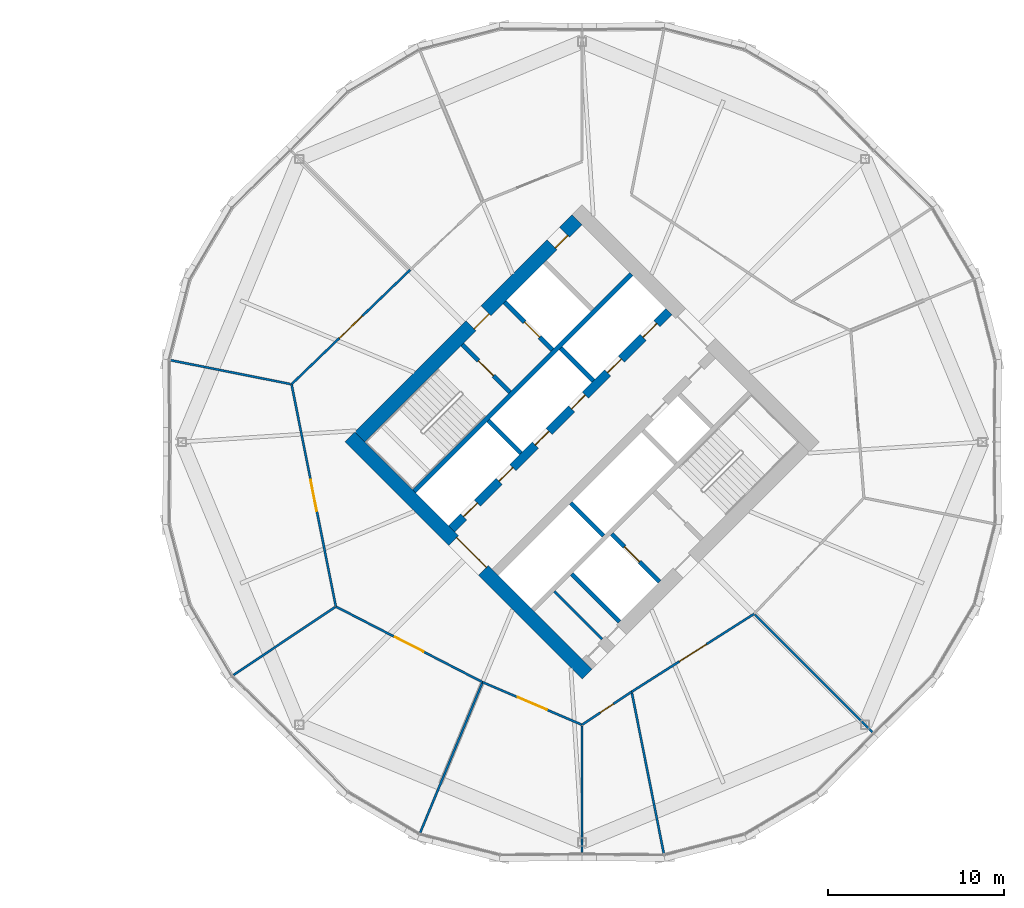
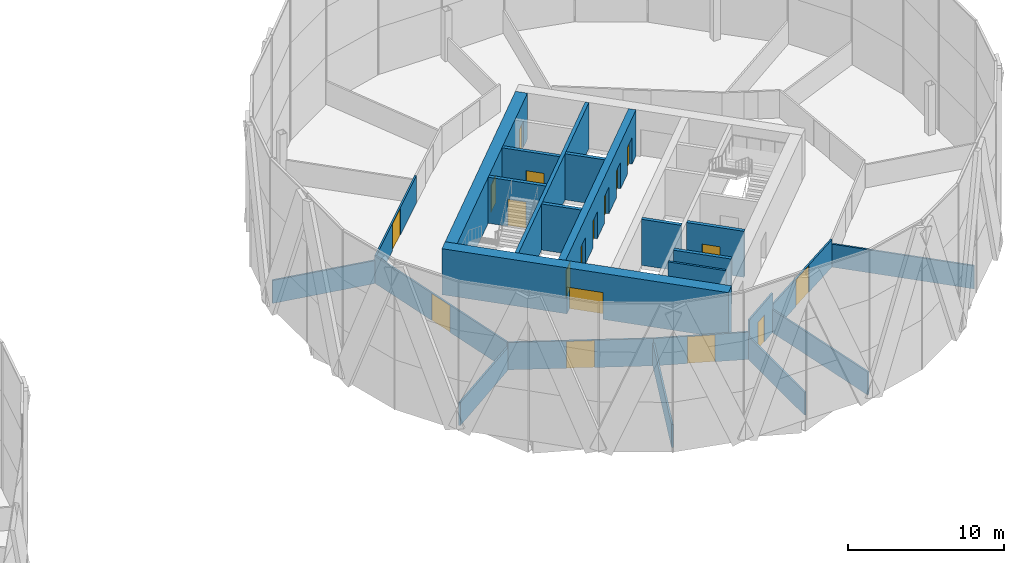
# One storey, part 22 of 26: 24 walls, 18 doors, 18 openings.
"""IFC4 building model written with IfcOpenShell, lengths in metres."""

from ifc_helpers import new_model, si_unit, direction, frame, frame_2d, origin, place, context, subcontext, project, spatial, rectangle, extrude, material, layer, layer_set, type_object, element, fill, save


model = new_model("IFC4")

# Units and contexts
model_context = context("Model", 3, precision=1e-05, world=origin(), true_north=direction((0.0, 1.0)))
body_context = subcontext(model_context, "Body", "Model", "MODEL_VIEW")
ifc_project = project(units=[si_unit("LENGTHUNIT", "METRE"), si_unit("AREAUNIT", "SQUARE_METRE"), si_unit("VOLUMEUNIT", "CUBIC_METRE"), si_unit("PLANEANGLEUNIT", "RADIAN"), si_unit("MASSUNIT", "GRAM", prefix="KILO")], contexts=[model_context])

# Site, building, storey
site_placement = place(None, origin())
site = spatial("IfcSite", under=ifc_project, at=site_placement, CompositionType="ELEMENT")
building_placement = place(site_placement, origin())
building = spatial("IfcBuilding", under=site, at=building_placement, Name="Ogive Gate Towers", CompositionType="ELEMENT")
storey_placement = place(building_placement, frame((0.0, 0.0, 87.89990234375)))
storey = spatial("IfcBuildingStorey", under=building, at=storey_placement, Name="L20", CompositionType="ELEMENT", Elevation=87.89990234375)

# Wall, openings, doors
ifc_material_1 = material(Name="Concrete C60/75", Category="concrete")
ifc_layer_1 = layer(ifc_material_1, 0.800048828125)
ifc_layer_set_1 = layer_set([ifc_layer_1], Name="Core wall 800 mm")
wall_type_1 = type_object("IfcWallType", Name="Core wall 800 mm", PredefinedType="SHEAR", material=ifc_layer_set_1)
wall_1_placement = place(storey_placement, frame((23.41357421875, 0.28271484375, 0.0), z_axis=(0.0, 0.0, 1.0), x_axis=(0.707106781187, 0.707106781187, 0.0)))
wall_1 = element("IfcWall", 1, at=wall_1_placement, inside=storey, type_object=wall_type_1, Name="T2 L20 Core wall 800 mm", PredefinedType="SHEAR", context=body_context, shape_type="SweptSolid", body=[
    extrude(rectangle(XDim=17.400146484375, YDim=0.800048828125, at=frame_2d((8.7001953125, 0.0))), origin(), (0.0, 0.0, 1.0), 3.60009765625),
])
opening_1_placement = place(wall_1_placement, frame((8.89990234375, 0.0, 0.0)))
opening_1 = element("IfcOpeningElement", 2, at=opening_1_placement, cuts=wall_1, Name="Opening KD-T2-L20-15", PredefinedType="OPENING", context=body_context, shape_type="SweptSolid", body=[
    extrude(rectangle(XDim=1.199951171875, YDim=2.10009765625, at=frame_2d((0.60009765625, 1.050048828125))), frame((0.0, 0.41015625, 0.0), z_axis=(0.0, -1.0, 0.0), x_axis=(1.0, 0.0, 0.0)), (0.0, 0.0, 1.0), 0.820068359375),
])
opening_2_placement = place(wall_1_placement, frame((15.39990234375, 0.0, 0.0)))
opening_2 = element("IfcOpeningElement", 3, at=opening_2_placement, cuts=wall_1, Name="Opening KD-T2-L20-17", PredefinedType="OPENING", context=body_context, shape_type="SweptSolid", body=[
    extrude(rectangle(XDim=1.0, YDim=2.10009765625, at=frame_2d((0.5, 1.050048828125))), frame((0.0, 0.41015625, 0.0), z_axis=(0.0, -1.0, 0.0), x_axis=(1.0, 0.0, 0.0)), (0.0, 0.0, 1.0), 0.820068359375),
])
ifc_material_2 = material(Name="Timber door", Category="wood")
door_type_1 = type_object("IfcDoorType", Name="Accessible WC door 1000 x 2100", OperationType="NOTDEFINED", PredefinedType="DOOR", material=ifc_material_2)
door_1_placement = place(opening_2_placement, origin())
door_1 = element("IfcDoor", 4, at=door_1_placement, inside=storey, type_object=door_type_1, Name="T2 L20 Core door", OperationType="SINGLE_SWING_RIGHT", OverallHeight=2.10009765625, OverallWidth=1.0, PredefinedType="DOOR", context=body_context, shape_type="SweptSolid", body=[
    extrude(rectangle(XDim=1.0, YDim=2.10009765625, at=frame_2d((0.5, 1.050048828125))), frame((0.0, -0.22509765625, 0.0), z_axis=(0.0, -1.0, 0.0), x_axis=(1.0, 0.0, 0.0)), (0.0, 0.0, 1.0), 0.050048828125),
])
fill(opening_2, door_1)
ifc_material_3 = material(Name="Steel fire door", Category="steel")
door_type_2 = type_object("IfcDoorType", Name="Core door FD60S 1200 x 2100", OperationType="NOTDEFINED", PredefinedType="DOOR", material=ifc_material_3)
door_2_placement = place(opening_1_placement, origin())
door_2 = element("IfcDoor", 5, at=door_2_placement, inside=storey, type_object=door_type_2, Name="T2 L20 Fire-fighting lobby door", OperationType="SINGLE_SWING_RIGHT", OverallHeight=2.10009765625, OverallWidth=1.199951171875, PredefinedType="DOOR", context=body_context, shape_type="SweptSolid", body=[
    extrude(rectangle(XDim=1.199951171875, YDim=2.10009765625, at=frame_2d((0.60009765625, 1.050048828125))), frame((0.0, -0.22509765625, 0.0), z_axis=(0.0, -1.0, 0.0), x_axis=(1.0, 0.0, 0.0)), (0.0, 0.0, 1.0), 0.050048828125),
])
fill(opening_1, door_2)

# Wall, opening, door
wall_2_placement = place(storey_placement, frame((36.28271484375, -13.152099609375, 0.0), z_axis=(0.0, 0.0, 1.0), x_axis=(-0.707106781187, 0.707106781187, 0.0)))
wall_2 = element("IfcWall", 6, at=wall_2_placement, inside=storey, type_object=wall_type_1, Name="T2 L20 Core wall 800 mm", PredefinedType="SHEAR", context=body_context, shape_type="SweptSolid", body=[
    extrude(rectangle(XDim=18.999755859375, YDim=0.800048828125, at=frame_2d((9.5, 0.0))), origin(), (0.0, 0.0, 1.0), 3.60009765625),
])
opening_3_placement = place(wall_2_placement, frame((8.300048828125, 0.0, 0.0)))
opening_3 = element("IfcOpeningElement", 7, at=opening_3_placement, cuts=wall_2, Name="Opening KD-T2-L20-01", PredefinedType="OPENING", context=body_context, shape_type="SweptSolid", body=[
    extrude(rectangle(XDim=2.39990234375, YDim=2.10009765625, at=frame_2d((1.199951171875, 1.050048828125))), frame((0.0, 0.41015625, 0.0), z_axis=(0.0, -1.0, 0.0), x_axis=(1.0, 0.0, 0.0)), (0.0, 0.0, 1.0), 0.820068359375),
])
door_type_3 = type_object("IfcDoorType", Name="Core double door FD60S 2400 x 2100", OperationType="DOUBLE_DOOR_SINGLE_SWING", PredefinedType="DOOR", material=ifc_material_3)
door_3_placement = place(opening_3_placement, origin())
door_3 = element("IfcDoor", 8, at=door_3_placement, inside=storey, type_object=door_type_3, Name="T2 L20 Core door double", OperationType="DOUBLE_DOOR_SINGLE_SWING", OverallHeight=2.10009765625, OverallWidth=2.39990234375, PredefinedType="DOOR", context=body_context, shape_type="SweptSolid", body=[
    extrude(rectangle(XDim=2.39990234375, YDim=2.10009765625, at=frame_2d((1.199951171875, 1.050048828125))), frame((0.0, -0.22509765625, 0.0), z_axis=(0.0, -1.0, 0.0), x_axis=(1.0, 0.0, 0.0)), (0.0, 0.0, 1.0), 0.050048828125),
])
fill(opening_3, door_3)

# Walls
ifc_material_4 = material(Name="Gypsum board partition")
ifc_layer_2 = layer(ifc_material_4, 0.125)
ifc_layer_set_2 = layer_set([ifc_layer_2], Name="Partition 125")
wall_type_2 = type_object("IfcWallType", Name="Partition 125", PredefinedType="PARTITIONING", material=ifc_layer_set_2)
for number, where, z_axis, x_axis, name in (
    (9, (12.685791015625, 4.6298828125, 0.0), (0.0, 0.0, 1.0), (0.980846885712, -0.194780355243, 0.0), "Partition T2-L20-007"),
    (10, (16.240478515625, -13.2119140625, 0.0), (0.0, 0.0, 1.0), (0.831301056765, 0.555822411406, 0.0), "Partition T2-L20-008"),
):
    element("IfcWall", number, at=place(storey_placement, frame(where, z_axis=z_axis, x_axis=x_axis)), inside=storey, type_object=wall_type_2, Name=name, PredefinedType="PARTITIONING", context=body_context, shape_type="SweptSolid", body=[
        extrude(rectangle(XDim=6.925048828125, YDim=0.125, at=frame_2d((3.46240234375, 0.0))), origin(), (0.0, 0.0, 1.0), 1.800048828125),
    ])
wall_3_placement = place(storey_placement, frame((26.8271484375, -22.1455078125, 0.0), z_axis=(0.0, 0.0, 1.0), x_axis=(0.382685496895, 0.923878677352, 0.0)))
element("IfcWall", 11, at=wall_3_placement, inside=storey, type_object=wall_type_2, Name="Partition T2-L20-009", PredefinedType="PARTITIONING", context=body_context, shape_type="SweptSolid", body=[
    extrude(rectangle(XDim=9.17529296875, YDim=0.125, at=frame_2d((4.587646484375, 0.0))), origin(), (0.0, 0.0, 1.0), 1.800048828125),
])
wall_4_placement = place(storey_placement, frame((36.0, -23.26904296875, 0.0), z_axis=(0.0, 0.0, 1.0), x_axis=(0.0, 1.0, 0.0)))
element("IfcWall", 12, at=wall_4_placement, inside=storey, type_object=wall_type_2, Name="Partition T2-L20-010", PredefinedType="PARTITIONING", context=body_context, shape_type="SweptSolid", body=[
    extrude(rectangle(XDim=7.176513671875, YDim=0.125, at=frame_2d((3.58837890625, 0.0))), origin(), (0.0, 0.0, 1.0), 1.800048828125),
])
wall_5_placement = place(storey_placement, frame((40.6298828125, -23.314208984375, 0.0), z_axis=(0.0, 0.0, 1.0), x_axis=(-0.194784655939, 0.980846031654, 0.0)))
element("IfcWall", 13, at=wall_5_placement, inside=storey, type_object=wall_type_2, Name="Partition T2-L20-011", PredefinedType="PARTITIONING", context=body_context, shape_type="SweptSolid", body=[
    extrude(rectangle(XDim=9.275146484375, YDim=0.125, at=frame_2d((4.6376953125, 0.0))), origin(), (0.0, 0.0, 1.0), 1.800048828125),
])
wall_6_placement = place(storey_placement, frame((52.45361328125, -16.45361328125, 0.0), z_axis=(0.0, 0.0, 1.0), x_axis=(-0.707106781187, 0.707106781187, 0.0)))
element("IfcWall", 14, at=wall_6_placement, inside=storey, type_object=wall_type_2, Name="Partition T2-L20-012", PredefinedType="PARTITIONING", context=body_context, shape_type="SweptSolid", body=[
    extrude(rectangle(XDim=9.425048828125, YDim=0.125, at=frame_2d((4.71240234375, 0.0))), origin(), (0.0, 0.0, 1.0), 1.800048828125),
])

# Wall, opening, door
wall_7_placement = place(storey_placement, frame((26.255126953125, 9.744873046875, 0.0), z_axis=(0.0, 0.0, 1.0), x_axis=(-0.719826082496, -0.694154457566, 0.0)))
wall_7 = element("IfcWall", 15, at=wall_7_placement, inside=storey, type_object=wall_type_2, Name="Partition T2-L20-016", PredefinedType="PARTITIONING", context=body_context, shape_type="SweptSolid", body=[
    extrude(rectangle(XDim=9.329345703125, YDim=0.125, at=frame_2d((4.66455078125, 0.0))), origin(), (0.0, 0.0, 1.0), 2.14013671875),
])
opening_4_placement = place(wall_7_placement, frame((3.764892578125, 0.0, 0.0)))
opening_4 = element("IfcOpeningElement", 16, at=opening_4_placement, cuts=wall_7, Name="Opening T2-L20-D03", PredefinedType="OPENING", context=body_context, shape_type="SweptSolid", body=[
    extrude(rectangle(XDim=1.800048828125, YDim=2.10009765625, at=frame_2d((0.89990234375, 1.050048828125))), frame((0.0, 0.072509765625, 0.0), z_axis=(0.0, -1.0, 0.0), x_axis=(1.0, 0.0, 0.0)), (0.0, 0.0, 1.0), 0.14501953125),
])
door_type_4 = type_object("IfcDoorType", Name="Door pair 1800", OperationType="NOTDEFINED", PredefinedType="DOOR", material=ifc_material_2)
door_4_placement = place(opening_4_placement, origin())
door_4 = element("IfcDoor", 17, at=door_4_placement, inside=storey, type_object=door_type_4, Name="Door T2-L20-D03", OperationType="DOUBLE_DOOR_DOUBLE_SWING", OverallHeight=2.10009765625, OverallWidth=1.800048828125, PredefinedType="DOOR", context=body_context, shape_type="SweptSolid", body=[
    extrude(rectangle(XDim=1.800048828125, YDim=2.10009765625, at=frame_2d((0.89990234375, 1.050048828125))), frame((0.0, 0.02490234375, 0.0), z_axis=(0.0, -1.0, 0.0), x_axis=(1.0, 0.0, 0.0)), (0.0, 0.0, 1.0), 0.050048828125),
])
fill(opening_4, door_4)

wall_8_placement = place(storey_placement, frame((19.53955078125, 3.268798828125, 0.0), z_axis=(0.0, 0.0, 1.0), x_axis=(0.195399636952, -0.980723703129, 0.0)))
wall_8 = element("IfcWall", 18, at=wall_8_placement, inside=storey, type_object=wall_type_2, Name="Partition T2-L20-017", PredefinedType="PARTITIONING", context=body_context, shape_type="SweptSolid", body=[
    extrude(rectangle(XDim=12.84423828125, YDim=0.125, at=frame_2d((6.422119140625, 0.0))), origin(), (0.0, 0.0, 1.0), 2.14013671875),
])
opening_5_placement = place(wall_8_placement, frame((5.52197265625, 0.0, 0.0)))
opening_5 = element("IfcOpeningElement", 19, at=opening_5_placement, cuts=wall_8, Name="Opening T2-L20-D04", PredefinedType="OPENING", context=body_context, shape_type="SweptSolid", body=[
    extrude(rectangle(XDim=1.800048828125, YDim=2.10009765625, at=frame_2d((0.89990234375, 1.050048828125))), frame((0.0, 0.072509765625, 0.0), z_axis=(0.0, -1.0, 0.0), x_axis=(1.0, 0.0, 0.0)), (0.0, 0.0, 1.0), 0.14501953125),
])
door_5_placement = place(opening_5_placement, origin())
door_5 = element("IfcDoor", 20, at=door_5_placement, inside=storey, type_object=door_type_4, Name="Door T2-L20-D04", OperationType="DOUBLE_DOOR_DOUBLE_SWING", OverallHeight=2.10009765625, OverallWidth=1.800048828125, PredefinedType="DOOR", context=body_context, shape_type="SweptSolid", body=[
    extrude(rectangle(XDim=1.800048828125, YDim=2.10009765625, at=frame_2d((0.89990234375, 1.050048828125))), frame((0.0, 0.02490234375, 0.0), z_axis=(0.0, -1.0, 0.0), x_axis=(1.0, 0.0, 0.0)), (0.0, 0.0, 1.0), 0.050048828125),
])
fill(opening_5, door_5)

wall_9_placement = place(storey_placement, frame((22.04931640625, -9.327880859375, 0.0), z_axis=(0.0, 0.0, 1.0), x_axis=(0.888952331998, -0.457999728641, 0.0)))
wall_9 = element("IfcWall", 21, at=wall_9_placement, inside=storey, type_object=wall_type_2, Name="Partition T2-L20-018", PredefinedType="PARTITIONING", context=body_context, shape_type="SweptSolid", body=[
    extrude(rectangle(XDim=9.3515625, YDim=0.125, at=frame_2d((4.67578125, 0.0))), origin(), (0.0, 0.0, 1.0), 2.14013671875),
])
opening_6_placement = place(wall_9_placement, frame((3.77587890625, 0.0, 0.0)))
opening_6 = element("IfcOpeningElement", 22, at=opening_6_placement, cuts=wall_9, Name="Opening T2-L20-D05", PredefinedType="OPENING", context=body_context, shape_type="SweptSolid", body=[
    extrude(rectangle(XDim=1.800048828125, YDim=2.10009765625, at=frame_2d((0.89990234375, 1.050048828125))), frame((0.0, 0.072509765625, 0.0), z_axis=(0.0, -1.0, 0.0), x_axis=(1.0, 0.0, 0.0)), (0.0, 0.0, 1.0), 0.14501953125),
])
door_6_placement = place(opening_6_placement, origin())
door_6 = element("IfcDoor", 23, at=door_6_placement, inside=storey, type_object=door_type_4, Name="Door T2-L20-D05", OperationType="DOUBLE_DOOR_DOUBLE_SWING", OverallHeight=2.10009765625, OverallWidth=1.800048828125, PredefinedType="DOOR", context=body_context, shape_type="SweptSolid", body=[
    extrude(rectangle(XDim=1.800048828125, YDim=2.10009765625, at=frame_2d((0.89990234375, 1.050048828125))), frame((0.0, 0.02490234375, 0.0), z_axis=(0.0, -1.0, 0.0), x_axis=(1.0, 0.0, 0.0)), (0.0, 0.0, 1.0), 0.050048828125),
])
fill(opening_6, door_6)

wall_10_placement = place(storey_placement, frame((30.3623046875, -13.61083984375, 0.0), z_axis=(0.0, 0.0, 1.0), x_axis=(0.918965853695, -0.394337114337, 0.0)))
wall_10 = element("IfcWall", 24, at=wall_10_placement, inside=storey, type_object=wall_type_2, Name="Partition T2-L20-019", PredefinedType="PARTITIONING", context=body_context, shape_type="SweptSolid", body=[
    extrude(rectangle(XDim=6.134765625, YDim=0.125, at=frame_2d((3.0673828125, 0.0))), origin(), (0.0, 0.0, 1.0), 2.14013671875),
])
opening_7_placement = place(wall_10_placement, frame((2.1669921875, 0.0, 0.0)))
opening_7 = element("IfcOpeningElement", 25, at=opening_7_placement, cuts=wall_10, Name="Opening T2-L20-D06", PredefinedType="OPENING", context=body_context, shape_type="SweptSolid", body=[
    extrude(rectangle(XDim=1.800048828125, YDim=2.10009765625, at=frame_2d((0.89990234375, 1.050048828125))), frame((0.0, 0.072509765625, 0.0), z_axis=(0.0, -1.0, 0.0), x_axis=(1.0, 0.0, 0.0)), (0.0, 0.0, 1.0), 0.14501953125),
])
door_7_placement = place(opening_7_placement, origin())
door_7 = element("IfcDoor", 26, at=door_7_placement, inside=storey, type_object=door_type_4, Name="Door T2-L20-D06", OperationType="DOUBLE_DOOR_DOUBLE_SWING", OverallHeight=2.10009765625, OverallWidth=1.800048828125, PredefinedType="DOOR", context=body_context, shape_type="SweptSolid", body=[
    extrude(rectangle(XDim=1.800048828125, YDim=2.10009765625, at=frame_2d((0.89990234375, 1.050048828125))), frame((0.0, 0.02490234375, 0.0), z_axis=(0.0, -1.0, 0.0), x_axis=(1.0, 0.0, 0.0)), (0.0, 0.0, 1.0), 0.050048828125),
])
fill(opening_7, door_7)

wall_11_placement = place(storey_placement, frame((36.0, -16.030029296875, 0.0), z_axis=(0.0, 0.0, 1.0), x_axis=(0.831983588231, 0.554800242352, 0.0)))
wall_11 = element("IfcWall", 27, at=wall_11_placement, inside=storey, type_object=wall_type_2, Name="Partition T2-L20-020", PredefinedType="PARTITIONING", context=body_context, shape_type="SweptSolid", body=[
    extrude(rectangle(XDim=3.378662109375, YDim=0.125, at=frame_2d((1.689453125, 0.0))), origin(), (0.0, 0.0, 1.0), 3.050048828125),
])
opening_8_placement = place(wall_11_placement, frame((1.239013671875, 0.0, 0.0)))
opening_8 = element("IfcOpeningElement", 28, at=opening_8_placement, cuts=wall_11, Name="Opening T2-L20-D07", PredefinedType="OPENING", context=body_context, shape_type="SweptSolid", body=[
    extrude(rectangle(XDim=0.89990234375, YDim=2.10009765625, at=frame_2d((0.449951171875, 1.050048828125))), frame((0.0, 0.072509765625, 0.0), z_axis=(0.0, -1.0, 0.0), x_axis=(1.0, 0.0, 0.0)), (0.0, 0.0, 1.0), 0.14501953125),
])
door_type_5 = type_object("IfcDoorType", Name="Door 900", OperationType="NOTDEFINED", PredefinedType="DOOR", material=ifc_material_2)
door_8_placement = place(opening_8_placement, origin())
door_8 = element("IfcDoor", 29, at=door_8_placement, inside=storey, type_object=door_type_5, Name="Door T2-L20-D07", OperationType="SINGLE_SWING_RIGHT", OverallHeight=2.10009765625, OverallWidth=0.89990234375, PredefinedType="DOOR", context=body_context, shape_type="SweptSolid", body=[
    extrude(rectangle(XDim=0.89990234375, YDim=2.10009765625, at=frame_2d((0.449951171875, 1.050048828125))), frame((0.0, 0.02490234375, 0.0), z_axis=(0.0, -1.0, 0.0), x_axis=(1.0, 0.0, 0.0)), (0.0, 0.0, 1.0), 0.050048828125),
])
fill(opening_8, door_8)

wall_12_placement = place(storey_placement, frame((38.81103515625, -14.155517578125, 0.0), z_axis=(0.0, 0.0, 1.0), x_axis=(0.843760561058, 0.536719773814, 0.0)))
wall_12 = element("IfcWall", 30, at=wall_12_placement, inside=storey, type_object=wall_type_2, Name="Partition T2-L20-021", PredefinedType="PARTITIONING", context=body_context, shape_type="SweptSolid", body=[
    extrude(rectangle(XDim=8.2177734375, YDim=0.125, at=frame_2d((4.10888671875, 0.0))), origin(), (0.0, 0.0, 1.0), 2.14013671875),
])
opening_9_placement = place(wall_12_placement, frame((3.208984375, 0.0, 0.0)))
opening_9 = element("IfcOpeningElement", 31, at=opening_9_placement, cuts=wall_12, Name="Opening T2-L20-D08", PredefinedType="OPENING", context=body_context, shape_type="SweptSolid", body=[
    extrude(rectangle(XDim=1.800048828125, YDim=2.10009765625, at=frame_2d((0.89990234375, 1.050048828125))), frame((0.0, 0.072509765625, 0.0), z_axis=(0.0, -1.0, 0.0), x_axis=(1.0, 0.0, 0.0)), (0.0, 0.0, 1.0), 0.14501953125),
])
door_9_placement = place(opening_9_placement, origin())
door_9 = element("IfcDoor", 32, at=door_9_placement, inside=storey, type_object=door_type_4, Name="Door T2-L20-D08", OperationType="DOUBLE_DOOR_DOUBLE_SWING", OverallHeight=2.10009765625, OverallWidth=1.800048828125, PredefinedType="DOOR", context=body_context, shape_type="SweptSolid", body=[
    extrude(rectangle(XDim=1.800048828125, YDim=2.10009765625, at=frame_2d((0.89990234375, 1.050048828125))), frame((0.0, 0.02490234375, 0.0), z_axis=(0.0, -1.0, 0.0), x_axis=(1.0, 0.0, 0.0)), (0.0, 0.0, 1.0), 0.050048828125),
])
fill(opening_9, door_9)

# Walls
ifc_layer_3 = layer(ifc_material_4, 0.14990234375)
ifc_layer_set_3 = layer_set([ifc_layer_3], Name="Room partition 150 mm")
wall_type_3 = type_object("IfcWallType", Name="Room partition 150 mm", PredefinedType="PARTITIONING", material=ifc_layer_set_3)
wall_13_placement = place(storey_placement, frame((37.13134765625, -11.17236328125, 0.0), z_axis=(0.0, 0.0, 1.0), x_axis=(-0.707074866995, 0.707138693938, 0.0)))
element("IfcWall", 33, at=wall_13_placement, inside=storey, type_object=wall_type_3, Name="T2 L20 Room partition 150 mm", PredefinedType="PARTITIONING", context=body_context, shape_type="SweptSolid", body=[
    extrude(rectangle(XDim=3.824951171875, YDim=0.14990234375, at=frame_2d((1.91259765625, 0.0))), origin(), (0.0, 0.0, 1.0), 3.60009765625),
])
ifc_layer_4 = layer(ifc_material_1, 0.25)
ifc_layer_set_4 = layer_set([ifc_layer_4], Name="Shaft wall 250 mm")
wall_type_4 = type_object("IfcWallType", Name="Shaft wall 250 mm", PredefinedType="SHEAR", material=ifc_layer_set_4)
wall_14_placement = place(storey_placement, frame((26.489501953125, -2.793212890625, 0.0), z_axis=(0.0, 0.0, 1.0), x_axis=(0.707106781187, 0.707106781187, 0.0)))
element("IfcWall", 34, at=wall_14_placement, inside=storey, type_object=wall_type_4, Name="T2 L20 Shaft wall 250 mm", PredefinedType="SHEAR", context=body_context, shape_type="SweptSolid", body=[
    extrude(rectangle(XDim=17.400146484375, YDim=0.25, at=frame_2d((8.7001953125, 0.0))), origin(), (0.0, 0.0, 1.0), 3.60009765625),
])
wall_15_placement = place(storey_placement, frame((38.121337890625, -10.182373046875, 0.0), z_axis=(0.0, 0.0, 1.0), x_axis=(-0.707138693938, 0.707074866995, 0.0)))
element("IfcWall", 35, at=wall_15_placement, inside=storey, type_object=wall_type_4, Name="T2 L20 Shaft wall 250 mm", PredefinedType="SHEAR", context=body_context, shape_type="SweptSolid", body=[
    extrude(rectangle(XDim=3.824951171875, YDim=0.25, at=frame_2d((1.91259765625, 0.0))), origin(), (0.0, 0.0, 1.0), 3.60009765625),
])
for number, where, z_axis, x_axis, name in (
    (36, (37.2197265625, -5.321044921875, 0.0), (0.0, 0.0, 1.0), (-0.707106781187, 0.707106781187, 0.0), "T2 L20 Shaft wall 250 mm"),
    (37, (32.53515625, -0.636474609375, 0.0), (0.0, 0.0, 1.0), (-0.707106781187, 0.707106781187, 0.0), "T2 L20 Shaft wall 250 mm"),
):
    element("IfcWall", number, at=place(storey_placement, frame(where, z_axis=z_axis, x_axis=x_axis)), inside=storey, type_object=wall_type_4, Name=name, PredefinedType="SHEAR", context=body_context, shape_type="SweptSolid", body=[
        extrude(rectangle(XDim=2.625, YDim=0.25, at=frame_2d((1.3125, 0.0))), origin(), (0.0, 0.0, 1.0), 3.60009765625),
    ])

# Wall, opening, door
wall_16_placement = place(storey_placement, frame((40.384033203125, -7.919677734375, 0.0), z_axis=(0.0, 0.0, 1.0), x_axis=(-0.707074866995, 0.707138693938, 0.0)))
wall_16 = element("IfcWall", 38, at=wall_16_placement, inside=storey, type_object=wall_type_4, Name="T2 L20 Shaft wall 250 mm", PredefinedType="SHEAR", context=body_context, shape_type="SweptSolid", body=[
    extrude(rectangle(XDim=3.824951171875, YDim=0.25, at=frame_2d((1.91259765625, 0.0))), origin(), (0.0, 0.0, 1.0), 3.60009765625),
])
opening_10_placement = place(wall_16_placement, frame((1.60009765625, 0.0, 0.0)))
opening_10 = element("IfcOpeningElement", 39, at=opening_10_placement, cuts=wall_16, Name="Opening LD-T2-L20-11", PredefinedType="OPENING", context=body_context, shape_type="SweptSolid", body=[
    extrude(rectangle(XDim=1.199951171875, YDim=2.10009765625, at=frame_2d((0.60009765625, 1.050048828125))), frame((0.0, 0.135009765625, 0.0), z_axis=(0.0, -1.0, 0.0), x_axis=(1.0, 0.0, 0.0)), (0.0, 0.0, 1.0), 0.27001953125),
])
ifc_material_5 = material(Name="Stainless steel landing door", Category="steel")
door_type_6 = type_object("IfcDoorType", Name="Landing door 1200 x 2100", OperationType="SLIDING_TO_LEFT", PredefinedType="DOOR", material=ifc_material_5)
door_10_placement = place(opening_10_placement, origin())
door_10 = element("IfcDoor", 40, at=door_10_placement, inside=storey, type_object=door_type_6, Name="T2 L20 Lift landing door FF2", OperationType="SLIDING_TO_LEFT", OverallHeight=2.10009765625, OverallWidth=1.199951171875, PredefinedType="DOOR", context=body_context, shape_type="SweptSolid", body=[
    extrude(rectangle(XDim=1.199951171875, YDim=2.10009765625, at=frame_2d((0.60009765625, 1.050048828125))), frame((0.0, 0.02490234375, 0.0), z_axis=(0.0, -1.0, 0.0), x_axis=(1.0, 0.0, 0.0)), (0.0, 0.0, 1.0), 0.050048828125),
])
fill(opening_10, door_10)

wall_17_placement = place(storey_placement, frame((31.91650390625, 2.810791015625, 0.0), z_axis=(0.0, 0.0, 1.0), x_axis=(-0.707106781187, 0.707106781187, 0.0)))
wall_17 = element("IfcWall", 41, at=wall_17_placement, inside=storey, type_object=wall_type_4, Name="T2 L20 Shaft wall 250 mm", PredefinedType="SHEAR", context=body_context, shape_type="SweptSolid", body=[
    extrude(rectangle(XDim=3.824951171875, YDim=0.25, at=frame_2d((1.91259765625, 0.0))), origin(), (0.0, 0.0, 1.0), 3.60009765625),
])
opening_11_placement = place(wall_17_placement, frame((1.324951171875, 0.0, 0.0)))
opening_11 = element("IfcOpeningElement", 42, at=opening_11_placement, cuts=wall_17, Name="Opening KD-T2-L20-13", PredefinedType="OPENING", context=body_context, shape_type="SweptSolid", body=[
    extrude(rectangle(XDim=1.199951171875, YDim=2.10009765625, at=frame_2d((0.60009765625, 1.050048828125))), frame((0.0, 0.135009765625, 0.0), z_axis=(0.0, -1.0, 0.0), x_axis=(1.0, 0.0, 0.0)), (0.0, 0.0, 1.0), 0.27001953125),
])
door_11_placement = place(opening_11_placement, origin())
door_11 = element("IfcDoor", 43, at=door_11_placement, inside=storey, type_object=door_type_2, Name="T2 L20 Stair door", OperationType="SINGLE_SWING_RIGHT", OverallHeight=2.10009765625, OverallWidth=1.199951171875, PredefinedType="DOOR", context=body_context, shape_type="SweptSolid", body=[
    extrude(rectangle(XDim=1.199951171875, YDim=2.10009765625, at=frame_2d((0.60009765625, 1.050048828125))), frame((0.0, 0.02490234375, 0.0), z_axis=(0.0, -1.0, 0.0), x_axis=(1.0, 0.0, 0.0)), (0.0, 0.0, 1.0), 0.050048828125),
])
fill(opening_11, door_11)

wall_18_placement = place(storey_placement, frame((34.320556640625, 5.21484375, 0.0), z_axis=(0.0, 0.0, 1.0), x_axis=(-0.707074866995, 0.707138693938, 0.0)))
wall_18 = element("IfcWall", 44, at=wall_18_placement, inside=storey, type_object=wall_type_4, Name="T2 L20 Shaft wall 250 mm", PredefinedType="SHEAR", context=body_context, shape_type="SweptSolid", body=[
    extrude(rectangle(XDim=3.824951171875, YDim=0.25, at=frame_2d((1.91259765625, 0.0))), origin(), (0.0, 0.0, 1.0), 3.60009765625),
])
opening_12_placement = place(wall_18_placement, frame((1.02490234375, 0.0, 0.0)))
opening_12 = element("IfcOpeningElement", 45, at=opening_12_placement, cuts=wall_18, Name="Opening LD-T2-L20-10", PredefinedType="OPENING", context=body_context, shape_type="SweptSolid", body=[
    extrude(rectangle(XDim=1.199951171875, YDim=2.10009765625, at=frame_2d((0.60009765625, 1.050048828125))), frame((0.0, 0.135009765625, 0.0), z_axis=(0.0, -1.0, 0.0), x_axis=(1.0, 0.0, 0.0)), (0.0, 0.0, 1.0), 0.27001953125),
])
door_12_placement = place(opening_12_placement, origin())
door_12 = element("IfcDoor", 46, at=door_12_placement, inside=storey, type_object=door_type_6, Name="T2 L20 Lift landing door FF1", OperationType="SLIDING_TO_LEFT", OverallHeight=2.10009765625, OverallWidth=1.199951171875, PredefinedType="DOOR", context=body_context, shape_type="SweptSolid", body=[
    extrude(rectangle(XDim=1.199951171875, YDim=2.10009765625, at=frame_2d((0.60009765625, 1.050048828125))), frame((0.0, 0.02490234375, 0.0), z_axis=(0.0, -1.0, 0.0), x_axis=(1.0, 0.0, 0.0)), (0.0, 0.0, 1.0), 0.050048828125),
])
fill(opening_12, door_12)

# Wall
wall_19_placement = place(storey_placement, frame((36.636474609375, 3.46484375, 0.0), z_axis=(0.0, 0.0, 1.0), x_axis=(-0.707106781187, 0.707106781187, 0.0)))
element("IfcWall", 47, at=wall_19_placement, inside=storey, type_object=wall_type_4, Name="T2 L20 Shaft wall 250 mm", PredefinedType="SHEAR", context=body_context, shape_type="SweptSolid", body=[
    extrude(rectangle(XDim=2.625, YDim=0.25, at=frame_2d((1.3125, 0.0))), origin(), (0.0, 0.0, 1.0), 3.60009765625),
])

# Wall, openings, doors
ifc_layer_5 = layer(ifc_material_1, 0.5)
ifc_layer_set_5 = layer_set([ifc_layer_5], Name="Spine wall 500 mm")
wall_type_5 = type_object("IfcWallType", Name="Spine wall 500 mm", PredefinedType="SHEAR", material=ifc_layer_set_5)
wall_20_placement = place(storey_placement, frame((28.610595703125, -4.914306640625, 0.0), z_axis=(0.0, 0.0, 1.0), x_axis=(0.707106781187, 0.707106781187, 0.0)))
wall_20 = element("IfcWall", 48, at=wall_20_placement, inside=storey, type_object=wall_type_5, Name="T2 L20 Spine wall 500 mm", PredefinedType="SHEAR", context=body_context, shape_type="SweptSolid", body=[
    extrude(rectangle(XDim=17.400146484375, YDim=0.5, at=frame_2d((8.7001953125, 0.0))), origin(), (0.0, 0.0, 1.0), 3.60009765625),
])
opening_13_placement = place(wall_20_placement, frame((0.96240234375, 0.0, 0.0)))
opening_13 = element("IfcOpeningElement", 49, at=opening_13_placement, cuts=wall_20, Name="Opening LD-T2-L20-03", PredefinedType="OPENING", context=body_context, shape_type="SweptSolid", body=[
    extrude(rectangle(XDim=1.10009765625, YDim=2.10009765625, at=frame_2d((0.550048828125, 1.050048828125))), frame((0.0, 0.260009765625, 0.0), z_axis=(0.0, -1.0, 0.0), x_axis=(1.0, 0.0, 0.0)), (0.0, 0.0, 1.0), 0.52001953125),
])
opening_14_placement = place(wall_20_placement, frame((3.800048828125, 0.0, 0.0)))
opening_14 = element("IfcOpeningElement", 50, at=opening_14_placement, cuts=wall_20, Name="Opening LD-T2-L20-04", PredefinedType="OPENING", context=body_context, shape_type="SweptSolid", body=[
    extrude(rectangle(XDim=1.10009765625, YDim=2.10009765625, at=frame_2d((0.550048828125, 1.050048828125))), frame((0.0, 0.260009765625, 0.0), z_axis=(0.0, -1.0, 0.0), x_axis=(1.0, 0.0, 0.0)), (0.0, 0.0, 1.0), 0.52001953125),
])
opening_15_placement = place(wall_20_placement, frame((6.699951171875, 0.0, 0.0)))
opening_15 = element("IfcOpeningElement", 51, at=opening_15_placement, cuts=wall_20, Name="Opening LD-T2-L20-05", PredefinedType="OPENING", context=body_context, shape_type="SweptSolid", body=[
    extrude(rectangle(XDim=1.10009765625, YDim=2.10009765625, at=frame_2d((0.550048828125, 1.050048828125))), frame((0.0, 0.260009765625, 0.0), z_axis=(0.0, -1.0, 0.0), x_axis=(1.0, 0.0, 0.0)), (0.0, 0.0, 1.0), 0.52001953125),
])
opening_16_placement = place(wall_20_placement, frame((9.60009765625, 0.0, 0.0)))
opening_16 = element("IfcOpeningElement", 52, at=opening_16_placement, cuts=wall_20, Name="Opening LD-T2-L20-06", PredefinedType="OPENING", context=body_context, shape_type="SweptSolid", body=[
    extrude(rectangle(XDim=1.10009765625, YDim=2.10009765625, at=frame_2d((0.550048828125, 1.050048828125))), frame((0.0, 0.260009765625, 0.0), z_axis=(0.0, -1.0, 0.0), x_axis=(1.0, 0.0, 0.0)), (0.0, 0.0, 1.0), 0.52001953125),
])
opening_17_placement = place(wall_20_placement, frame((12.5, 0.0, 0.0)))
opening_17 = element("IfcOpeningElement", 53, at=opening_17_placement, cuts=wall_20, Name="Opening LD-T2-L20-07", PredefinedType="OPENING", context=body_context, shape_type="SweptSolid", body=[
    extrude(rectangle(XDim=1.10009765625, YDim=2.10009765625, at=frame_2d((0.550048828125, 1.050048828125))), frame((0.0, 0.260009765625, 0.0), z_axis=(0.0, -1.0, 0.0), x_axis=(1.0, 0.0, 0.0)), (0.0, 0.0, 1.0), 0.52001953125),
])
opening_18_placement = place(wall_20_placement, frame((15.33740234375, 0.0, 0.0)))
opening_18 = element("IfcOpeningElement", 54, at=opening_18_placement, cuts=wall_20, Name="Opening LD-T2-L20-08", PredefinedType="OPENING", context=body_context, shape_type="SweptSolid", body=[
    extrude(rectangle(XDim=1.10009765625, YDim=2.10009765625, at=frame_2d((0.550048828125, 1.050048828125))), frame((0.0, 0.260009765625, 0.0), z_axis=(0.0, -1.0, 0.0), x_axis=(1.0, 0.0, 0.0)), (0.0, 0.0, 1.0), 0.52001953125),
])
door_type_7 = type_object("IfcDoorType", Name="Landing door 1100 x 2100", OperationType="SLIDING_TO_LEFT", PredefinedType="DOOR", material=ifc_material_5)
door_13_placement = place(opening_13_placement, origin())
door_13 = element("IfcDoor", 55, at=door_13_placement, inside=storey, type_object=door_type_7, Name="T2 L20 Lift landing door A1", OperationType="SLIDING_TO_LEFT", OverallHeight=2.10009765625, OverallWidth=1.10009765625, PredefinedType="DOOR", context=body_context, shape_type="SweptSolid", body=[
    extrude(rectangle(XDim=1.10009765625, YDim=2.10009765625, at=frame_2d((0.550048828125, 1.050048828125))), frame((0.0, 0.02490234375, 0.0), z_axis=(0.0, -1.0, 0.0), x_axis=(1.0, 0.0, 0.0)), (0.0, 0.0, 1.0), 0.050048828125),
])
fill(opening_13, door_13)
door_14_placement = place(opening_14_placement, origin())
door_14 = element("IfcDoor", 56, at=door_14_placement, inside=storey, type_object=door_type_7, Name="T2 L20 Lift landing door A2", OperationType="SLIDING_TO_LEFT", OverallHeight=2.10009765625, OverallWidth=1.10009765625, PredefinedType="DOOR", context=body_context, shape_type="SweptSolid", body=[
    extrude(rectangle(XDim=1.10009765625, YDim=2.10009765625, at=frame_2d((0.550048828125, 1.050048828125))), frame((0.0, 0.02490234375, 0.0), z_axis=(0.0, -1.0, 0.0), x_axis=(1.0, 0.0, 0.0)), (0.0, 0.0, 1.0), 0.050048828125),
])
fill(opening_14, door_14)
door_15_placement = place(opening_15_placement, origin())
door_15 = element("IfcDoor", 57, at=door_15_placement, inside=storey, type_object=door_type_7, Name="T2 L20 Lift landing door A3", OperationType="SLIDING_TO_LEFT", OverallHeight=2.10009765625, OverallWidth=1.10009765625, PredefinedType="DOOR", context=body_context, shape_type="SweptSolid", body=[
    extrude(rectangle(XDim=1.10009765625, YDim=2.10009765625, at=frame_2d((0.550048828125, 1.050048828125))), frame((0.0, 0.02490234375, 0.0), z_axis=(0.0, -1.0, 0.0), x_axis=(1.0, 0.0, 0.0)), (0.0, 0.0, 1.0), 0.050048828125),
])
fill(opening_15, door_15)
door_16_placement = place(opening_16_placement, origin())
door_16 = element("IfcDoor", 58, at=door_16_placement, inside=storey, type_object=door_type_7, Name="T2 L20 Lift landing door A4", OperationType="SLIDING_TO_LEFT", OverallHeight=2.10009765625, OverallWidth=1.10009765625, PredefinedType="DOOR", context=body_context, shape_type="SweptSolid", body=[
    extrude(rectangle(XDim=1.10009765625, YDim=2.10009765625, at=frame_2d((0.550048828125, 1.050048828125))), frame((0.0, 0.02490234375, 0.0), z_axis=(0.0, -1.0, 0.0), x_axis=(1.0, 0.0, 0.0)), (0.0, 0.0, 1.0), 0.050048828125),
])
fill(opening_16, door_16)
door_17_placement = place(opening_17_placement, origin())
door_17 = element("IfcDoor", 59, at=door_17_placement, inside=storey, type_object=door_type_7, Name="T2 L20 Lift landing door A5", OperationType="SLIDING_TO_LEFT", OverallHeight=2.10009765625, OverallWidth=1.10009765625, PredefinedType="DOOR", context=body_context, shape_type="SweptSolid", body=[
    extrude(rectangle(XDim=1.10009765625, YDim=2.10009765625, at=frame_2d((0.550048828125, 1.050048828125))), frame((0.0, 0.02490234375, 0.0), z_axis=(0.0, -1.0, 0.0), x_axis=(1.0, 0.0, 0.0)), (0.0, 0.0, 1.0), 0.050048828125),
])
fill(opening_17, door_17)
door_18_placement = place(opening_18_placement, origin())
door_18 = element("IfcDoor", 60, at=door_18_placement, inside=storey, type_object=door_type_7, Name="T2 L20 Lift landing door A6", OperationType="SLIDING_TO_LEFT", OverallHeight=2.10009765625, OverallWidth=1.10009765625, PredefinedType="DOOR", context=body_context, shape_type="SweptSolid", body=[
    extrude(rectangle(XDim=1.10009765625, YDim=2.10009765625, at=frame_2d((0.550048828125, 1.050048828125))), frame((0.0, 0.02490234375, 0.0), z_axis=(0.0, -1.0, 0.0), x_axis=(1.0, 0.0, 0.0)), (0.0, 0.0, 1.0), 0.050048828125),
])
fill(opening_18, door_18)

save(model, "model.ifc")
